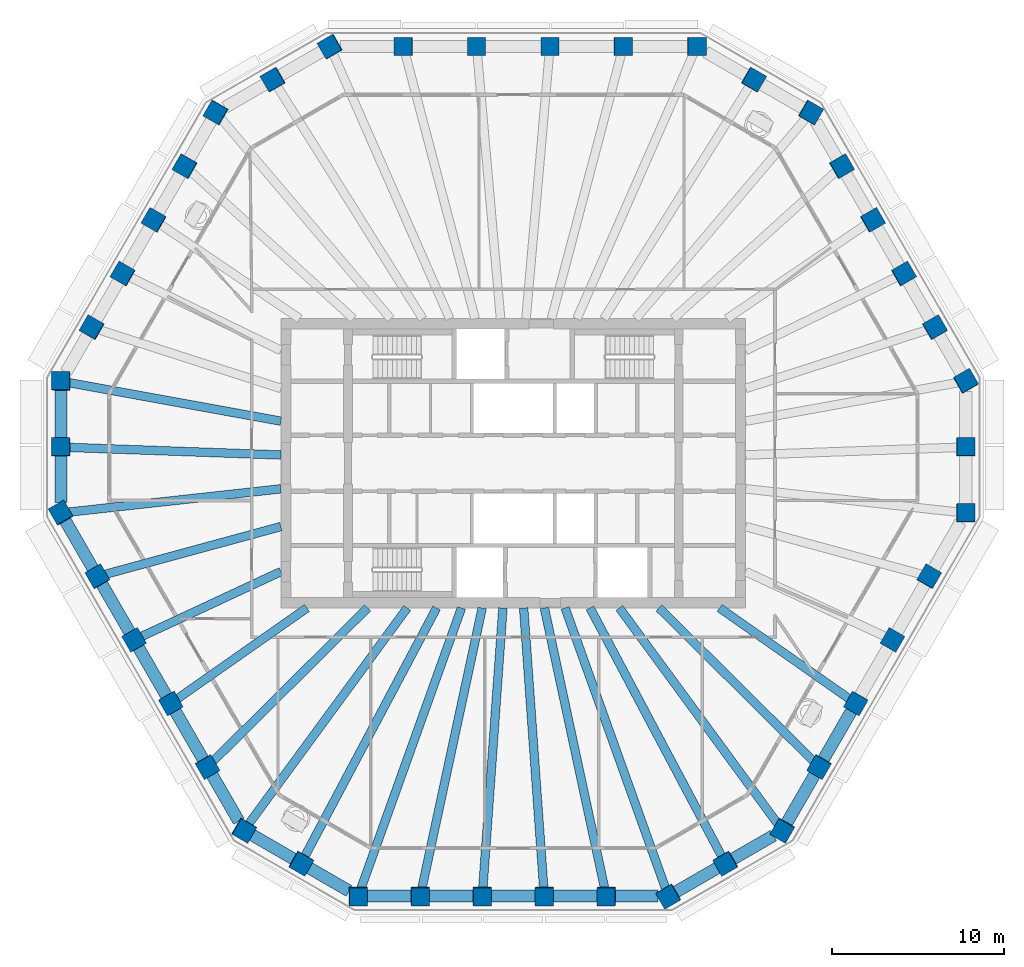
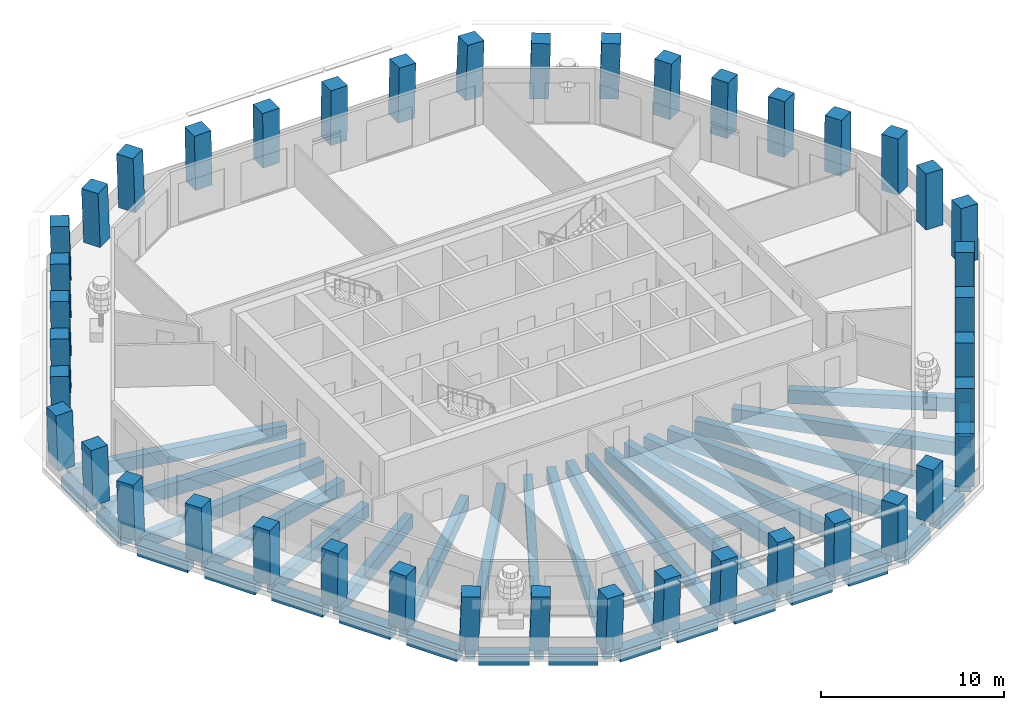
# One storey, part 1 of 12: 42 columns, 37 beams.
"""IFC4 building model written with IfcOpenShell, lengths in metres."""

from ifc_helpers import new_model, si_unit, direction, frame, origin, origin_2d, place, context, subcontext, project, spatial, rectangle, extrude, material, material_profile, profile_set, type_object, element, save


model = new_model("IFC4")

# Units and contexts
model_context = context("Model", 3, precision=1e-05, world=origin(), true_north=direction((0.0, 1.0)))
body_context = subcontext(model_context, "Body", "Model", "MODEL_VIEW")
ifc_project = project(units=[si_unit("LENGTHUNIT", "METRE"), si_unit("AREAUNIT", "SQUARE_METRE"), si_unit("VOLUMEUNIT", "CUBIC_METRE"), si_unit("PLANEANGLEUNIT", "RADIAN"), si_unit("MASSUNIT", "GRAM", prefix="KILO")], contexts=[model_context])

# Site, building, storey
site_placement = place(None, origin())
site = spatial("IfcSite", under=ifc_project, at=site_placement, CompositionType="ELEMENT")
building_placement = place(site_placement, origin())
building = spatial("IfcBuilding", under=site, at=building_placement, Name="Frailejon Research Tower", CompositionType="ELEMENT")
storey_placement = place(building_placement, frame((0.0, 0.0, 241.39990234375)))
storey = spatial("IfcBuildingStorey", under=building, at=storey_placement, Name="L52", CompositionType="ELEMENT", Elevation=241.39990234375)

# Columns
ifc_material_1 = material(Name="Concrete C60/75", Category="concrete")
ifc_material_profile_1 = material_profile(ifc_material_1, rectangle(XDim=1.050048828125, YDim=1.050048828125, at=origin_2d()), Name="Column 1050")
ifc_profile_set_1 = profile_set([ifc_material_profile_1], Name="Concrete C60/75")
column_type = type_object("IfcColumnType", Name="Column 1050", PredefinedType="COLUMN", material=ifc_profile_set_1)
for number, where, z_axis, x_axis, name in (
    (1, (26.27880859375, -2.8837890625, 0.0), (0.018113993821, 0.031348572332, 0.999344360189), (-0.000374711626, 0.999508494025, -0.031346929091), "Column C01"),
    (2, (26.27880859375, 0.94287109375, 0.0), (0.018113955825, 0.03141534774, 0.999342263957), (-0.001297337727, 0.999506151202, -0.031396984318), "Column C02"),
    (3, (26.27880859375, 4.76953125, 0.0), (0.018113955825, 0.03141534774, 0.999342263957), (-0.501041071009, 0.865233837763, -0.018117702729), "Column C03"),
):
    element("IfcColumn", number, at=place(storey_placement, frame(where, z_axis=z_axis, x_axis=x_axis)), inside=storey, type_object=column_type, Name=name, PredefinedType="COLUMN", context=body_context, shape_type="SweptSolid", body=[
        extrude(rectangle(XDim=1.050048828125, YDim=1.050048828125, at=origin_2d()), origin(), (0.0, 0.0, 1.0), 3.652587890625),
    ])
column_1_placement = place(storey_placement, frame((24.476806640625, 7.890380859375, 0.0), z_axis=(0.021792529504, 0.025068093754, 0.999448185917), x_axis=(-0.49894916392, 0.866563260977, -0.010855715031)))
element("IfcColumn", 4, at=column_1_placement, inside=storey, type_object=column_type, Name="Column C04", PredefinedType="COLUMN", context=body_context, shape_type="SweptSolid", body=[
    extrude(rectangle(XDim=1.050048828125, YDim=1.050048828125, at=origin_2d()), origin(), (0.0, 0.0, 1.0), 3.652099609375),
])
for number, where, z_axis, x_axis, name in (
    (5, (22.67529296875, 11.010986328125, 0.0), (0.025336830513, 0.018852206345, 0.999501195265), (-0.501175751069, 0.865337958787, -0.003617128936), "Column C05"),
    (6, (20.873291015625, 14.1318359375, 0.0), (0.029013644583, 0.012568122538, 0.999500000362), (-0.499848973822, 0.866105020579, 0.003618935909), "Column C06"),
):
    element("IfcColumn", number, at=place(storey_placement, frame(where, z_axis=z_axis, x_axis=x_axis)), inside=storey, type_object=column_type, Name=name, PredefinedType="COLUMN", context=body_context, shape_type="SweptSolid", body=[
        extrude(rectangle(XDim=1.050048828125, YDim=1.050048828125, at=origin_2d()), origin(), (0.0, 0.0, 1.0), 3.65185546875),
    ])
column_2_placement = place(storey_placement, frame((19.071533203125, 17.25244140625, 0.0), z_axis=(0.032688717128, 0.006283720675, 0.99944582776), x_axis=(-0.499189907536, 0.866424302438, 0.010879538516)))
element("IfcColumn", 7, at=column_2_placement, inside=storey, type_object=column_type, Name="Column C07", PredefinedType="COLUMN", context=body_context, shape_type="SweptSolid", body=[
    extrude(rectangle(XDim=1.050048828125, YDim=1.050048828125, at=origin_2d()), origin(), (0.0, 0.0, 1.0), 3.652099609375),
])
for number, where, z_axis, x_axis, name in (
    (8, (17.27001953125, 20.373291015625, 0.0), (0.036227958345, 0.0, 0.999343552055), (-0.865314717209, 0.500246354177, 0.031369177763), "Column C08"),
    (9, (13.955810546875, 22.28662109375, 0.0), (0.036294711627, 0.0, 0.999341129899), (-0.865312619905, 0.500246354177, 0.031426978303), "Column C09"),
    (10, (10.641845703125, 24.199951171875, 0.0), (0.036227958345, 0.0, 0.999343552055), (-0.999343552055, 0.0, 0.036227958345), "Column C10"),
):
    element("IfcColumn", number, at=place(storey_placement, frame(where, z_axis=z_axis, x_axis=x_axis)), inside=storey, type_object=column_type, Name=name, PredefinedType="COLUMN", context=body_context, shape_type="SweptSolid", body=[
        extrude(rectangle(XDim=1.050048828125, YDim=1.050048828125, at=origin_2d()), origin(), (0.0, 0.0, 1.0), 3.652587890625),
    ])
column_3_placement = place(storey_placement, frame((6.385009765625, 24.199951171875, 0.0), z_axis=(0.021799380047, 0.0, 0.99976236528), x_axis=(-0.99976236528, 0.0, 0.021799380047)))
element("IfcColumn", 11, at=column_3_placement, inside=storey, type_object=column_type, Name="Column C11", PredefinedType="COLUMN", context=body_context, shape_type="SweptSolid", body=[
    extrude(rectangle(XDim=1.050048828125, YDim=1.050048828125, at=origin_2d()), origin(), (0.0, 0.0, 1.0), 3.651123046875),
])
for number, where, z_axis, x_axis, name in (
    (12, (2.12841796875, 24.199951171875, 0.0), (0.007223408626, 0.0, 0.999973910844), (-0.999973910844, 0.0, 0.007223408626), "Column C12"),
    (13, (-2.12841796875, 24.199951171875, 0.0), (-0.007223408626, 0.0, 0.999973910844), (-0.999973910844, 0.0, -0.007223408626), "Column C13"),
):
    element("IfcColumn", number, at=place(storey_placement, frame(where, z_axis=z_axis, x_axis=x_axis)), inside=storey, type_object=column_type, Name=name, PredefinedType="COLUMN", context=body_context, shape_type="SweptSolid", body=[
        extrude(rectangle(XDim=1.050048828125, YDim=1.050048828125, at=origin_2d()), origin(), (0.0, 0.0, 1.0), 3.650146484375),
    ])
column_4_placement = place(storey_placement, frame((-6.385009765625, 24.199951171875, 0.0), z_axis=(-0.021799380047, 0.0, 0.99976236528), x_axis=(-0.99976236528, 0.0, -0.021799380047)))
element("IfcColumn", 14, at=column_4_placement, inside=storey, type_object=column_type, Name="Column C14", PredefinedType="COLUMN", context=body_context, shape_type="SweptSolid", body=[
    extrude(rectangle(XDim=1.050048828125, YDim=1.050048828125, at=origin_2d()), origin(), (0.0, 0.0, 1.0), 3.651123046875),
])
for number, where, z_axis, x_axis, name in (
    (15, (-10.641845703125, 24.199951171875, 0.0), (-0.036227958345, 0.0, 0.999343552055), (-0.865314717209, -0.500246354177, -0.031369177763), "Column C15"),
    (16, (-13.955810546875, 22.28662109375, 0.0), (-0.036294711627, 0.0, 0.999341129899), (-0.865312619905, -0.500246354177, -0.031426978303), "Column C16"),
    (17, (-17.27001953125, 20.373291015625, 0.0), (-0.036227958345, 0.0, 0.999343552055), (-0.499425543129, -0.866167613071, -0.018105052798), "Column C17"),
):
    element("IfcColumn", number, at=place(storey_placement, frame(where, z_axis=z_axis, x_axis=x_axis)), inside=storey, type_object=column_type, Name=name, PredefinedType="COLUMN", context=body_context, shape_type="SweptSolid", body=[
        extrude(rectangle(XDim=1.050048828125, YDim=1.050048828125, at=origin_2d()), origin(), (0.0, 0.0, 1.0), 3.652587890625),
    ])
column_5_placement = place(storey_placement, frame((-19.071533203125, 17.25244140625, 0.0), z_axis=(-0.032688717128, 0.006283720675, 0.99944582776), x_axis=(-0.499189907536, -0.866424302438, -0.010879538516)))
element("IfcColumn", 18, at=column_5_placement, inside=storey, type_object=column_type, Name="Column C18", PredefinedType="COLUMN", context=body_context, shape_type="SweptSolid", body=[
    extrude(rectangle(XDim=1.050048828125, YDim=1.050048828125, at=origin_2d()), origin(), (0.0, 0.0, 1.0), 3.652099609375),
])
for number, where, z_axis, x_axis, name in (
    (19, (-20.873291015625, 14.1318359375, 0.0), (-0.029013644583, 0.012568122538, 0.999500000362), (-0.499848973822, -0.866105020579, -0.003618935909), "Column C19"),
    (20, (-22.67529296875, 11.010986328125, 0.0), (-0.025336830513, 0.018852206345, 0.999501195265), (-0.501175751069, -0.865337958787, 0.003617128936), "Column C20"),
):
    element("IfcColumn", number, at=place(storey_placement, frame(where, z_axis=z_axis, x_axis=x_axis)), inside=storey, type_object=column_type, Name=name, PredefinedType="COLUMN", context=body_context, shape_type="SweptSolid", body=[
        extrude(rectangle(XDim=1.050048828125, YDim=1.050048828125, at=origin_2d()), origin(), (0.0, 0.0, 1.0), 3.65185546875),
    ])
column_6_placement = place(storey_placement, frame((-24.476806640625, 7.890380859375, 0.0), z_axis=(-0.021792529504, 0.025068093754, 0.999448185917), x_axis=(-0.49894916392, -0.866563260977, 0.010855715031)))
element("IfcColumn", 21, at=column_6_placement, inside=storey, type_object=column_type, Name="Column C21", PredefinedType="COLUMN", context=body_context, shape_type="SweptSolid", body=[
    extrude(rectangle(XDim=1.050048828125, YDim=1.050048828125, at=origin_2d()), origin(), (0.0, 0.0, 1.0), 3.652099609375),
])
for number, where, z_axis, x_axis, name in (
    (22, (-26.27880859375, 4.76953125, 0.0), (-0.018113955825, 0.03141534774, 0.999342263957), (-0.001297337727, -0.999506151202, 0.031396984318), "Column C22"),
    (23, (-26.27880859375, 0.94287109375, 0.0), (-0.018113955825, 0.03141534774, 0.999342263957), (-0.001297337727, -0.999506151202, 0.031396984318), "Column C23"),
    (24, (-26.27880859375, -2.8837890625, 0.0), (-0.018113993821, 0.031348572332, 0.999344360189), (0.499839786235, -0.86536081398, 0.03620565874), "Column C24"),
):
    element("IfcColumn", number, at=place(storey_placement, frame(where, z_axis=z_axis, x_axis=x_axis)), inside=storey, type_object=column_type, Name=name, PredefinedType="COLUMN", context=body_context, shape_type="SweptSolid", body=[
        extrude(rectangle(XDim=1.050048828125, YDim=1.050048828125, at=origin_2d()), origin(), (0.0, 0.0, 1.0), 3.652587890625),
    ])
column_7_placement = place(storey_placement, frame((-24.150390625, -6.5703125, 0.0), z_axis=(-0.010899694483, 0.018857140148, 0.999762774325), x_axis=(0.501085789903, -0.865123480471, 0.021780603655)))
element("IfcColumn", 25, at=column_7_placement, inside=storey, type_object=column_type, Name="Column C25", PredefinedType="COLUMN", context=body_context, shape_type="SweptSolid", body=[
    extrude(rectangle(XDim=1.050048828125, YDim=1.050048828125, at=origin_2d()), origin(), (0.0, 0.0, 1.0), 3.651123046875),
])
for number, where, z_axis, x_axis, name in (
    (26, (-22.02197265625, -10.2568359375, 0.0), (-0.003611703602, 0.006287039604, 0.99997371402), (0.499382074229, -0.866351529566, 0.007250597003), "Column C26"),
    (27, (-19.8935546875, -13.943115234375, 0.0), (0.003611702075, -0.006353920318, 0.999973291296), (0.495427453778, -0.868618570756, -0.007308664753), "Column C27"),
):
    element("IfcColumn", number, at=place(storey_placement, frame(where, z_axis=z_axis, x_axis=x_axis)), inside=storey, type_object=column_type, Name=name, PredefinedType="COLUMN", context=body_context, shape_type="SweptSolid", body=[
        extrude(rectangle(XDim=1.050048828125, YDim=1.050048828125, at=origin_2d()), origin(), (0.0, 0.0, 1.0), 3.650146484375),
    ])
column_8_placement = place(storey_placement, frame((-17.765380859375, -17.629638671875, 0.0), z_axis=(0.010899694483, -0.018857140148, 0.999762774325), x_axis=(0.500226191374, -0.865620795957, -0.021780612244)))
element("IfcColumn", 28, at=column_8_placement, inside=storey, type_object=column_type, Name="Column C28", PredefinedType="COLUMN", context=body_context, shape_type="SweptSolid", body=[
    extrude(rectangle(XDim=1.050048828125, YDim=1.050048828125, at=origin_2d()), origin(), (0.0, 0.0, 1.0), 3.651123046875),
])
for number, where, z_axis, x_axis, name in (
    (29, (-15.636962890625, -21.316162109375, 0.0), (0.018113955825, -0.03141534774, 0.999342263957), (0.86551973078, -0.499889444942, -0.031402841694), "Column C29"),
    (30, (-12.322998046875, -23.2294921875, 0.0), (0.018180813073, -0.031348534306, 0.999343147989), (0.866776681622, -0.497708117994, -0.031381737993), "Column C30"),
    (31, (-9.0087890625, -25.142822265625, 0.0), (0.018113955825, -0.03141534774, 0.999342263957), (0.999835920175, 0.000437543569, -0.018109149147), "Column C31"),
):
    element("IfcColumn", number, at=place(storey_placement, frame(where, z_axis=z_axis, x_axis=x_axis)), inside=storey, type_object=column_type, Name=name, PredefinedType="COLUMN", context=body_context, shape_type="SweptSolid", body=[
        extrude(rectangle(XDim=1.050048828125, YDim=1.050048828125, at=origin_2d()), origin(), (0.0, 0.0, 1.0), 3.652587890625),
    ])
column_9_placement = place(storey_placement, frame((-5.4052734375, -25.142822265625, 0.0), z_axis=(0.010896250923, -0.031418637632, 0.999446917512), x_axis=(0.999940412198, 0.001008235725, -0.010869936218)))
element("IfcColumn", 32, at=column_9_placement, inside=storey, type_object=column_type, Name="Column C32", PredefinedType="COLUMN", context=body_context, shape_type="SweptSolid", body=[
    extrude(rectangle(XDim=1.050048828125, YDim=1.050048828125, at=origin_2d()), origin(), (0.0, 0.0, 1.0), 3.652099609375),
])
for number, where, z_axis, x_axis, name in (
    (33, (-1.8017578125, -25.142822265625, 0.0), (0.003609991708, -0.031420298201, 0.999499741281), (0.999993380446, -0.000341349484, -0.003622505304), "Column C33"),
    (34, (1.8017578125, -25.142822265625, 0.0), (-0.003609991708, -0.031420298201, 0.999499741281), (0.999993380446, 0.000341349484, 0.003622505304), "Column C34"),
):
    element("IfcColumn", number, at=place(storey_placement, frame(where, z_axis=z_axis, x_axis=x_axis)), inside=storey, type_object=column_type, Name=name, PredefinedType="COLUMN", context=body_context, shape_type="SweptSolid", body=[
        extrude(rectangle(XDim=1.050048828125, YDim=1.050048828125, at=origin_2d()), origin(), (0.0, 0.0, 1.0), 3.65185546875),
    ])
column_10_placement = place(storey_placement, frame((5.4052734375, -25.142822265625, 0.0), z_axis=(-0.010896250923, -0.031418637632, 0.999446917512), x_axis=(0.999940412198, -0.001008235725, 0.010869936218)))
element("IfcColumn", 35, at=column_10_placement, inside=storey, type_object=column_type, Name="Column C35", PredefinedType="COLUMN", context=body_context, shape_type="SweptSolid", body=[
    extrude(rectangle(XDim=1.050048828125, YDim=1.050048828125, at=origin_2d()), origin(), (0.0, 0.0, 1.0), 3.652099609375),
])
for number, where, z_axis, x_axis, name in (
    (36, (9.0087890625, -25.142822265625, 0.0), (-0.018113955825, -0.03141534774, 0.999342263957), (0.865818354489, 0.499372725209, 0.031392010897), "Column C36"),
    (37, (12.322998046875, -23.2294921875, 0.0), (-0.018180813073, -0.031348534306, 0.999343147989), (0.866776681622, 0.497708117994, 0.031381737993), "Column C37"),
    (38, (15.636962890625, -21.316162109375, 0.0), (-0.018113955825, -0.03141534774, 0.999342263957), (0.499040514287, 0.865819568771, 0.036263472456), "Column C38"),
):
    element("IfcColumn", number, at=place(storey_placement, frame(where, z_axis=z_axis, x_axis=x_axis)), inside=storey, type_object=column_type, Name=name, PredefinedType="COLUMN", context=body_context, shape_type="SweptSolid", body=[
        extrude(rectangle(XDim=1.050048828125, YDim=1.050048828125, at=origin_2d()), origin(), (0.0, 0.0, 1.0), 3.652587890625),
    ])
column_11_placement = place(storey_placement, frame((17.765380859375, -17.629638671875, 0.0), z_axis=(-0.010899694483, -0.018857140148, 0.999762774325), x_axis=(0.500226191374, 0.865620795957, 0.021780612244)))
element("IfcColumn", 39, at=column_11_placement, inside=storey, type_object=column_type, Name="Column C39", PredefinedType="COLUMN", context=body_context, shape_type="SweptSolid", body=[
    extrude(rectangle(XDim=1.050048828125, YDim=1.050048828125, at=origin_2d()), origin(), (0.0, 0.0, 1.0), 3.651123046875),
])
for number, where, z_axis, x_axis, name in (
    (40, (19.8935546875, -13.943115234375, 0.0), (-0.003611702075, -0.006353920318, 0.999973291296), (0.495427453778, 0.868618570756, 0.007308664753), "Column C40"),
    (41, (22.02197265625, -10.2568359375, 0.0), (0.003611703602, 0.006287039604, 0.99997371402), (0.499382074229, 0.866351529566, -0.007250597003), "Column C41"),
):
    element("IfcColumn", number, at=place(storey_placement, frame(where, z_axis=z_axis, x_axis=x_axis)), inside=storey, type_object=column_type, Name=name, PredefinedType="COLUMN", context=body_context, shape_type="SweptSolid", body=[
        extrude(rectangle(XDim=1.050048828125, YDim=1.050048828125, at=origin_2d()), origin(), (0.0, 0.0, 1.0), 3.650146484375),
    ])
column_12_placement = place(storey_placement, frame((24.150390625, -6.5703125, 0.0), z_axis=(0.010899694483, 0.018857140148, 0.999762774325), x_axis=(0.501085789903, 0.865123480471, -0.021780603655)))
element("IfcColumn", 42, at=column_12_placement, inside=storey, type_object=column_type, Name="Column C42", PredefinedType="COLUMN", context=body_context, shape_type="SweptSolid", body=[
    extrude(rectangle(XDim=1.050048828125, YDim=1.050048828125, at=origin_2d()), origin(), (0.0, 0.0, 1.0), 3.651123046875),
])

# Beams
ifc_material_2 = material(Name="Concrete C60/75", Category="concrete")
ifc_material_profile_2 = material_profile(ifc_material_2, rectangle(XDim=0.5, YDim=0.89990234375, at=origin_2d()), Name="Girder 500x900")
ifc_profile_set_2 = profile_set([ifc_material_profile_2], Name="Concrete C60/75")
beam_type_1 = type_object("IfcBeamType", Name="Girder 500x900", PredefinedType="BEAM", material=ifc_profile_set_2)
beam_1_placement = place(storey_placement, frame((-25.9013671875, 4.700927734375, -0.75), z_axis=(0.983926576474, -0.178573492175, 0.0), x_axis=(0.178573492175, 0.983926576474, 0.0)))
element("IfcBeam", 43, at=beam_1_placement, inside=storey, type_object=beam_type_1, Name="Girder 500x900", PredefinedType="BEAM", context=body_context, shape_type="SweptSolid", body=[
    extrude(rectangle(XDim=0.5, YDim=0.89990234375, at=origin_2d()), origin(), (0.0, 0.0, 1.0), 12.60400390625),
])
beam_2_placement = place(storey_placement, frame((-25.903564453125, 0.92919921875, -0.75), z_axis=(0.999357556164, -0.035839572234, 0.0), x_axis=(0.035839572234, 0.999357556164, 0.0)))
element("IfcBeam", 44, at=beam_2_placement, inside=storey, type_object=beam_type_1, Name="Girder 500x900", PredefinedType="BEAM", context=body_context, shape_type="SweptSolid", body=[
    extrude(rectangle(XDim=0.5, YDim=0.89990234375, at=origin_2d()), origin(), (0.0, 0.0, 1.0), 12.41162109375),
])
beam_3_placement = place(storey_placement, frame((-25.857666015625, -2.837646484375, -0.75), z_axis=(0.994031794125, 0.109090752442, 0.0), x_axis=(-0.109090752442, 0.994031794125, 0.0)))
element("IfcBeam", 45, at=beam_3_placement, inside=storey, type_object=beam_type_1, Name="Girder 500x900", PredefinedType="BEAM", context=body_context, shape_type="SweptSolid", body=[
    extrude(rectangle(XDim=0.5, YDim=0.89990234375, at=origin_2d()), origin(), (0.0, 0.0, 1.0), 12.431884765625),
])
beam_4_placement = place(storey_placement, frame((-23.771240234375, -6.46728515625, -0.75), z_axis=(0.964926127593, 0.262521557758, 0.0), x_axis=(-0.262521557758, 0.964926127593, 0.0)))
element("IfcBeam", 46, at=beam_4_placement, inside=storey, type_object=beam_type_1, Name="Girder 500x900", PredefinedType="BEAM", context=body_context, shape_type="SweptSolid", body=[
    extrude(rectangle(XDim=0.5, YDim=0.89990234375, at=origin_2d()), origin(), (0.0, 0.0, 1.0), 10.64453125),
])
beam_5_placement = place(storey_placement, frame((-21.68017578125, -10.09765625, -0.75), z_axis=(0.906495305559, 0.422215893827, 0.0), x_axis=(-0.422215893827, 0.906495305559, 0.0)))
element("IfcBeam", 47, at=beam_5_placement, inside=storey, type_object=beam_type_1, Name="Girder 500x900", PredefinedType="BEAM", context=body_context, shape_type="SweptSolid", body=[
    extrude(rectangle(XDim=0.5, YDim=0.89990234375, at=origin_2d()), origin(), (0.0, 0.0, 1.0), 9.02392578125),
])
beam_6_placement = place(storey_placement, frame((-19.5849609375, -13.726806640625, -0.75), z_axis=(0.818885741189, 0.573956568808, 0.0), x_axis=(-0.573956568808, 0.818885741189, 0.0)))
element("IfcBeam", 48, at=beam_6_placement, inside=storey, type_object=beam_type_1, Name="Girder 500x900", PredefinedType="BEAM", context=body_context, shape_type="SweptSolid", body=[
    extrude(rectangle(XDim=0.5, YDim=0.89990234375, at=origin_2d()), origin(), (0.0, 0.0, 1.0), 9.281005859375),
])
beam_7_placement = place(storey_placement, frame((-17.486328125, -17.352783203125, -0.75), z_axis=(0.709809986225, 0.704393202307, 0.0), x_axis=(-0.704393202307, 0.709809986225, 0.0)))
element("IfcBeam", 49, at=beam_7_placement, inside=storey, type_object=beam_type_1, Name="Girder 500x900", PredefinedType="BEAM", context=body_context, shape_type="SweptSolid", body=[
    extrude(rectangle(XDim=0.5, YDim=0.89990234375, at=origin_2d()), origin(), (0.0, 0.0, 1.0), 12.7099609375),
])
beam_8_placement = place(storey_placement, frame((-15.4130859375, -21.01123046875, -0.75), z_axis=(0.591474638765, 0.806323602345, 0.0), x_axis=(-0.806323602345, 0.591474638765, 0.0)))
element("IfcBeam", 50, at=beam_8_placement, inside=storey, type_object=beam_type_1, Name="Girder 500x900", PredefinedType="BEAM", context=body_context, shape_type="SweptSolid", body=[
    extrude(rectangle(XDim=0.5, YDim=0.89990234375, at=origin_2d()), origin(), (0.0, 0.0, 1.0), 15.640625),
])
beam_9_placement = place(storey_placement, frame((-12.14697265625, -22.897705078125, -0.75), z_axis=(0.468630521507, 0.883394268892, 0.0), x_axis=(-0.883394268892, 0.468630521507, 0.0)))
element("IfcBeam", 51, at=beam_9_placement, inside=storey, type_object=beam_type_1, Name="Girder 500x900", PredefinedType="BEAM", context=body_context, shape_type="SweptSolid", body=[
    extrude(rectangle(XDim=0.5, YDim=0.89990234375, at=origin_2d()), origin(), (0.0, 0.0, 1.0), 16.411376953125),
])
beam_10_placement = place(storey_placement, frame((-8.871337890625, -24.759033203125, -0.75), z_axis=(0.337307202183, 0.941394631042, 0.0), x_axis=(-0.941394631042, 0.337307202183, 0.0)))
element("IfcBeam", 52, at=beam_10_placement, inside=storey, type_object=beam_type_1, Name="Girder 500x900", PredefinedType="BEAM", context=body_context, shape_type="SweptSolid", body=[
    extrude(rectangle(XDim=0.5, YDim=0.89990234375, at=origin_2d()), origin(), (0.0, 0.0, 1.0), 17.37744140625),
])
beam_11_placement = place(storey_placement, frame((-5.323974609375, -24.764404296875, -0.75), z_axis=(0.210179492065, 0.977662815656, 0.0), x_axis=(-0.977662815656, 0.210179492065, 0.0)))
element("IfcBeam", 53, at=beam_11_placement, inside=storey, type_object=beam_type_1, Name="Girder 500x900", PredefinedType="BEAM", context=body_context, shape_type="SweptSolid", body=[
    extrude(rectangle(XDim=0.5, YDim=0.89990234375, at=origin_2d()), origin(), (0.0, 0.0, 1.0), 16.73828125),
])
for number, where, z_axis, x_axis, name in (
    (54, (-1.77490234375, -24.767333984375, -0.75), (0.071474373361, 0.997442436411, 0.0), (-0.997442436411, 0.071474373361, 0.0), "Girder 500x900"),
    (55, (1.77490234375, -24.767333984375, -0.75), (-0.071474373361, 0.997442436411, 0.0), (-0.997442436411, -0.071474373361, 0.0), "Girder 500x900"),
):
    element("IfcBeam", number, at=place(storey_placement, frame(where, z_axis=z_axis, x_axis=x_axis)), inside=storey, type_object=beam_type_1, Name=name, PredefinedType="BEAM", context=body_context, shape_type="SweptSolid", body=[
        extrude(rectangle(XDim=0.5, YDim=0.89990234375, at=origin_2d()), origin(), (0.0, 0.0, 1.0), 16.409423828125),
    ])
beam_12_placement = place(storey_placement, frame((5.323974609375, -24.764404296875, -0.75), z_axis=(-0.210179492065, 0.977662815656, 0.0), x_axis=(-0.977662815656, -0.210179492065, 0.0)))
element("IfcBeam", 56, at=beam_12_placement, inside=storey, type_object=beam_type_1, Name="Girder 500x900", PredefinedType="BEAM", context=body_context, shape_type="SweptSolid", body=[
    extrude(rectangle(XDim=0.5, YDim=0.89990234375, at=origin_2d()), origin(), (0.0, 0.0, 1.0), 16.73828125),
])
beam_13_placement = place(storey_placement, frame((8.87939453125, -24.78173828125, -0.75), z_axis=(-0.337303193075, 0.94139606752, 0.0), x_axis=(-0.94139606752, -0.337303193075, 0.0)))
element("IfcBeam", 57, at=beam_13_placement, inside=storey, type_object=beam_type_1, Name="Girder 500x900", PredefinedType="BEAM", context=body_context, shape_type="SweptSolid", body=[
    extrude(rectangle(XDim=0.5, YDim=0.89990234375, at=origin_2d()), origin(), (0.0, 0.0, 1.0), 17.401611328125),
])
beam_14_placement = place(storey_placement, frame((12.14697265625, -22.897705078125, -0.75), z_axis=(-0.468630521507, 0.883394268892, 0.0), x_axis=(-0.883394268892, -0.468630521507, 0.0)))
element("IfcBeam", 58, at=beam_14_placement, inside=storey, type_object=beam_type_1, Name="Girder 500x900", PredefinedType="BEAM", context=body_context, shape_type="SweptSolid", body=[
    extrude(rectangle(XDim=0.5, YDim=0.89990234375, at=origin_2d()), origin(), (0.0, 0.0, 1.0), 16.411376953125),
])
beam_15_placement = place(storey_placement, frame((15.386474609375, -20.974609375, -0.75), z_axis=(-0.59148513994, 0.806315899155, 0.0), x_axis=(-0.806315899155, -0.59148513994, 0.0)))
element("IfcBeam", 59, at=beam_15_placement, inside=storey, type_object=beam_type_1, Name="Girder 500x900", PredefinedType="BEAM", context=body_context, shape_type="SweptSolid", body=[
    extrude(rectangle(XDim=0.5, YDim=0.89990234375, at=origin_2d()), origin(), (0.0, 0.0, 1.0), 15.59521484375),
])
beam_16_placement = place(storey_placement, frame((17.486328125, -17.352783203125, -0.75), z_axis=(-0.709809986225, 0.704393202307, 0.0), x_axis=(-0.704393202307, -0.709809986225, 0.0)))
element("IfcBeam", 60, at=beam_16_placement, inside=storey, type_object=beam_type_1, Name="Girder 500x900", PredefinedType="BEAM", context=body_context, shape_type="SweptSolid", body=[
    extrude(rectangle(XDim=0.5, YDim=0.89990234375, at=origin_2d()), origin(), (0.0, 0.0, 1.0), 12.7099609375),
])
beam_17_placement = place(storey_placement, frame((19.5849609375, -13.726806640625, -0.75), z_axis=(-0.818885741189, 0.573956568808, 0.0), x_axis=(-0.573956568808, -0.818885741189, 0.0)))
element("IfcBeam", 61, at=beam_17_placement, inside=storey, type_object=beam_type_1, Name="Girder 500x900", PredefinedType="BEAM", context=body_context, shape_type="SweptSolid", body=[
    extrude(rectangle(XDim=0.5, YDim=0.89990234375, at=origin_2d()), origin(), (0.0, 0.0, 1.0), 9.281005859375),
])
ifc_material_3 = material(Name="Concrete C60/75", Category="concrete")
ifc_material_profile_3 = material_profile(ifc_material_3, rectangle(XDim=0.699951171875, YDim=0.75, at=origin_2d()), Name="Spandrel 700x750")
ifc_profile_set_3 = profile_set([ifc_material_profile_3], Name="Concrete C60/75")
beam_type_2 = type_object("IfcBeamType", Name="Spandrel 700x750", PredefinedType="BEAM", material=ifc_profile_set_3)
beam_18_placement = place(storey_placement, frame((-26.27880859375, 4.244384765625, -0.724853515625), z_axis=(0.0, -1.0, 0.0), x_axis=(1.0, 0.0, 0.0)))
element("IfcBeam", 62, at=beam_18_placement, inside=storey, type_object=beam_type_2, Name="Spandrel 700x750", PredefinedType="BEAM", context=body_context, shape_type="SweptSolid", body=[
    extrude(rectangle(XDim=0.699951171875, YDim=0.75, at=origin_2d()), origin(), (0.0, 0.0, 1.0), 2.776611328125),
])
beam_19_placement = place(storey_placement, frame((-26.27880859375, 0.417724609375, -0.724853515625), z_axis=(0.0, -1.0, 0.0), x_axis=(1.0, 0.0, 0.0)))
element("IfcBeam", 63, at=beam_19_placement, inside=storey, type_object=beam_type_2, Name="Spandrel 700x750", PredefinedType="BEAM", context=body_context, shape_type="SweptSolid", body=[
    extrude(rectangle(XDim=0.699951171875, YDim=0.75, at=origin_2d()), origin(), (0.0, 0.0, 1.0), 2.6953125),
])
beam_20_placement = place(storey_placement, frame((-26.01611328125, -3.338623046875, -0.724853515625), z_axis=(0.499979482655, -0.866037249155, 0.0), x_axis=(0.866037249155, 0.499979482655, 0.0)))
element("IfcBeam", 64, at=beam_20_placement, inside=storey, type_object=beam_type_2, Name="Spandrel 700x750", PredefinedType="BEAM", context=body_context, shape_type="SweptSolid", body=[
    extrude(rectangle(XDim=0.699951171875, YDim=0.75, at=origin_2d()), origin(), (0.0, 0.0, 1.0), 3.206787109375),
])
beam_21_placement = place(storey_placement, frame((-23.887939453125, -7.025146484375, -0.724853515625), z_axis=(0.500069551962, -0.865985244216, 0.0), x_axis=(0.865985244216, 0.500069551962, 0.0)))
element("IfcBeam", 65, at=beam_21_placement, inside=storey, type_object=beam_type_2, Name="Spandrel 700x750", PredefinedType="BEAM", context=body_context, shape_type="SweptSolid", body=[
    extrude(rectangle(XDim=0.699951171875, YDim=0.75, at=origin_2d()), origin(), (0.0, 0.0, 1.0), 3.20654296875),
])
beam_22_placement = place(storey_placement, frame((-21.759521484375, -10.71142578125, -0.724853515625), z_axis=(0.500036582314, -0.866004281946, 0.0), x_axis=(0.866004281946, 0.500036582314, 0.0)))
element("IfcBeam", 66, at=beam_22_placement, inside=storey, type_object=beam_type_2, Name="Spandrel 700x750", PredefinedType="BEAM", context=body_context, shape_type="SweptSolid", body=[
    extrude(rectangle(XDim=0.699951171875, YDim=0.75, at=origin_2d()), origin(), (0.0, 0.0, 1.0), 3.206787109375),
])
beam_23_placement = place(storey_placement, frame((-19.631103515625, -14.39794921875, -0.724853515625), z_axis=(0.500012451049, -0.866018215049, 0.0), x_axis=(0.866018215049, 0.500012451049, 0.0)))
element("IfcBeam", 67, at=beam_23_placement, inside=storey, type_object=beam_type_2, Name="Spandrel 700x750", PredefinedType="BEAM", context=body_context, shape_type="SweptSolid", body=[
    extrude(rectangle(XDim=0.699951171875, YDim=0.75, at=origin_2d()), origin(), (0.0, 0.0, 1.0), 3.20654296875),
])
beam_24_placement = place(storey_placement, frame((-17.502685546875, -18.084228515625, -0.724853515625), z_axis=(0.499995170647, -0.866028191995, 0.0), x_axis=(0.866028191995, 0.499995170647, 0.0)))
element("IfcBeam", 68, at=beam_24_placement, inside=storey, type_object=beam_type_2, Name="Spandrel 700x750", PredefinedType="BEAM", context=body_context, shape_type="SweptSolid", body=[
    extrude(rectangle(XDim=0.699951171875, YDim=0.75, at=origin_2d()), origin(), (0.0, 0.0, 1.0), 3.12548828125),
])
beam_25_placement = place(storey_placement, frame((-15.18212890625, -21.57861328125, -0.724853515625), z_axis=(0.866037694333, -0.499978711542, 0.0), x_axis=(0.499978711542, 0.866037694333, 0.0)))
element("IfcBeam", 69, at=beam_25_placement, inside=storey, type_object=beam_type_2, Name="Spandrel 700x750", PredefinedType="BEAM", context=body_context, shape_type="SweptSolid", body=[
    extrude(rectangle(XDim=0.699951171875, YDim=0.75, at=origin_2d()), origin(), (0.0, 0.0, 1.0), 2.7763671875),
])
beam_26_placement = place(storey_placement, frame((-11.8681640625, -23.491943359375, -0.724853515625), z_axis=(0.866049846835, -0.499957661005, 0.0), x_axis=(0.499957661005, 0.866049846835, 0.0)))
element("IfcBeam", 70, at=beam_26_placement, inside=storey, type_object=beam_type_2, Name="Spandrel 700x750", PredefinedType="BEAM", context=body_context, shape_type="SweptSolid", body=[
    extrude(rectangle(XDim=0.699951171875, YDim=0.75, at=origin_2d()), origin(), (0.0, 0.0, 1.0), 2.695556640625),
])
for number, where, z_axis, x_axis, name in (
    (71, (-8.48388671875, -25.142822265625, -0.724853515625), (1.0, 0.0, 0.0), (0.0, 1.0, 0.0), "Spandrel 700x750"),
    (72, (-4.88037109375, -25.142822265625, -0.724853515625), (1.0, 0.0, 0.0), (0.0, 1.0, 0.0), "Spandrel 700x750"),
):
    element("IfcBeam", number, at=place(storey_placement, frame(where, z_axis=z_axis, x_axis=x_axis)), inside=storey, type_object=beam_type_2, Name=name, PredefinedType="BEAM", context=body_context, shape_type="SweptSolid", body=[
        extrude(rectangle(XDim=0.699951171875, YDim=0.75, at=origin_2d()), origin(), (0.0, 0.0, 1.0), 2.553466796875),
    ])
beam_27_placement = place(storey_placement, frame((-1.27685546875, -25.142822265625, -0.724853515625), z_axis=(1.0, 0.0, 0.0), x_axis=(0.0, 1.0, 0.0)))
element("IfcBeam", 73, at=beam_27_placement, inside=storey, type_object=beam_type_2, Name="Spandrel 700x750", PredefinedType="BEAM", context=body_context, shape_type="SweptSolid", body=[
    extrude(rectangle(XDim=0.699951171875, YDim=0.75, at=origin_2d()), origin(), (0.0, 0.0, 1.0), 2.5537109375),
])
beam_28_placement = place(storey_placement, frame((2.326904296875, -25.142822265625, -0.724853515625), z_axis=(1.0, 0.0, 0.0), x_axis=(0.0, 1.0, 0.0)))
element("IfcBeam", 74, at=beam_28_placement, inside=storey, type_object=beam_type_2, Name="Spandrel 700x750", PredefinedType="BEAM", context=body_context, shape_type="SweptSolid", body=[
    extrude(rectangle(XDim=0.699951171875, YDim=0.75, at=origin_2d()), origin(), (0.0, 0.0, 1.0), 2.553466796875),
])
beam_29_placement = place(storey_placement, frame((5.930419921875, -25.142822265625, -0.724853515625), z_axis=(1.0, 0.0, 0.0), x_axis=(0.0, 1.0, 0.0)))
element("IfcBeam", 75, at=beam_29_placement, inside=storey, type_object=beam_type_2, Name="Spandrel 700x750", PredefinedType="BEAM", context=body_context, shape_type="SweptSolid", body=[
    extrude(rectangle(XDim=0.699951171875, YDim=0.75, at=origin_2d()), origin(), (0.0, 0.0, 1.0), 2.47216796875),
])
beam_30_placement = place(storey_placement, frame((9.46337890625, -24.88037109375, -0.724853515625), z_axis=(0.866021602438, 0.500006584067, 0.0), x_axis=(-0.500006584067, 0.866021602438, 0.0)))
element("IfcBeam", 76, at=beam_30_placement, inside=storey, type_object=beam_type_2, Name="Spandrel 700x750", PredefinedType="BEAM", context=body_context, shape_type="SweptSolid", body=[
    extrude(rectangle(XDim=0.699951171875, YDim=0.75, at=origin_2d()), origin(), (0.0, 0.0, 1.0), 2.77685546875),
])
beam_31_placement = place(storey_placement, frame((12.777587890625, -22.966796875, -0.724853515625), z_axis=(0.866027204995, 0.499996880198, 0.0), x_axis=(-0.499996880198, 0.866027204995, 0.0)))
element("IfcBeam", 77, at=beam_31_placement, inside=storey, type_object=beam_type_2, Name="Spandrel 700x750", PredefinedType="BEAM", context=body_context, shape_type="SweptSolid", body=[
    extrude(rectangle(XDim=0.699951171875, YDim=0.75, at=origin_2d()), origin(), (0.0, 0.0, 1.0), 2.6953125),
])
beam_32_placement = place(storey_placement, frame((15.8994140625, -20.861328125, -0.724853515625), z_axis=(0.499979482655, 0.866037249155, 0.0), x_axis=(-0.866037249155, 0.499979482655, 0.0)))
element("IfcBeam", 78, at=beam_32_placement, inside=storey, type_object=beam_type_2, Name="Spandrel 700x750", PredefinedType="BEAM", context=body_context, shape_type="SweptSolid", body=[
    extrude(rectangle(XDim=0.699951171875, YDim=0.75, at=origin_2d()), origin(), (0.0, 0.0, 1.0), 3.206787109375),
])
beam_33_placement = place(storey_placement, frame((18.02783203125, -17.1748046875, -0.724853515625), z_axis=(0.500012451049, 0.866018215049, 0.0), x_axis=(-0.866018215049, 0.500012451049, 0.0)))
element("IfcBeam", 79, at=beam_33_placement, inside=storey, type_object=beam_type_2, Name="Spandrel 700x750", PredefinedType="BEAM", context=body_context, shape_type="SweptSolid", body=[
    extrude(rectangle(XDim=0.699951171875, YDim=0.75, at=origin_2d()), origin(), (0.0, 0.0, 1.0), 3.20654296875),
])

save(model, "model.ifc")
